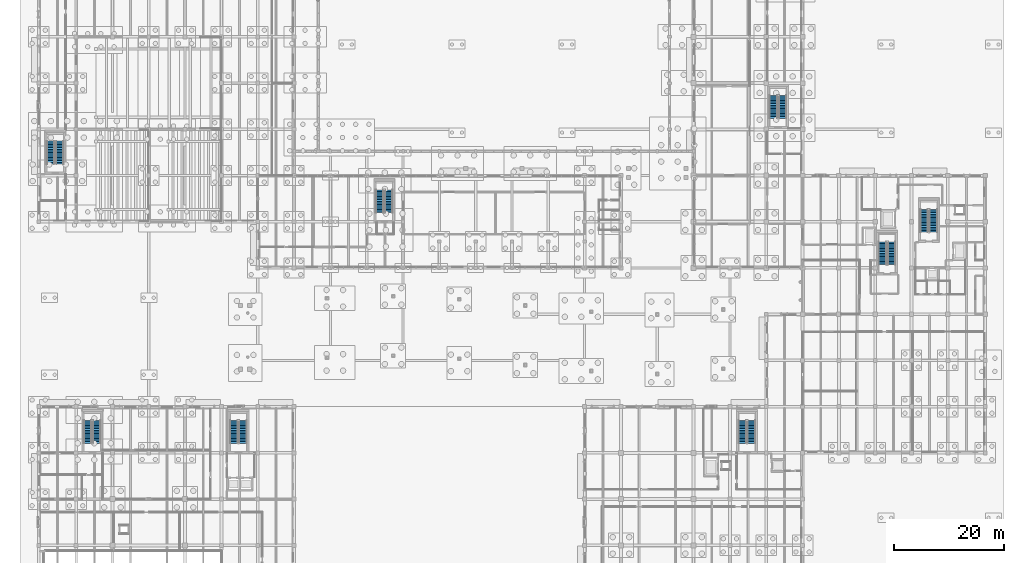
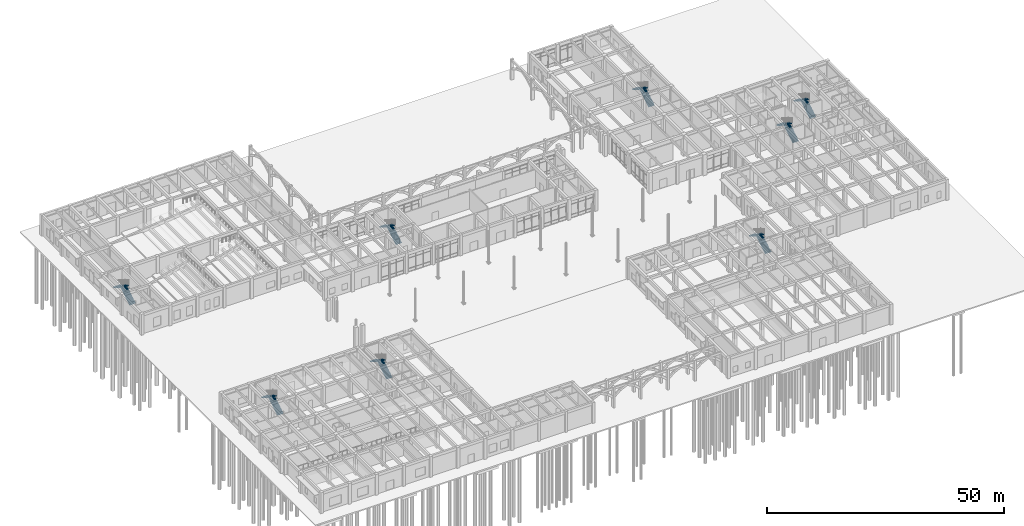
# One storey, part 65 of 82: 16 stair flights, 8 elements without a shape of their own.
"""IFC4 building model written with IfcOpenShell, lengths in metres."""

from ifc_helpers import new_model, si_unit, direction, frame, origin, place, context, subcontext, project, spatial, polyline, outline, extrude, material, type_object, element, aggregate, save


model = new_model("IFC4")

# Units and contexts
model_context = context("Model", 3, precision=1e-05, world=origin(), true_north=direction((0.0, 1.0)))
body_context = subcontext(model_context, "Body", "Model", "MODEL_VIEW")
ifc_project = project(units=[si_unit("LENGTHUNIT", "METRE"), si_unit("AREAUNIT", "SQUARE_METRE"), si_unit("VOLUMEUNIT", "CUBIC_METRE"), si_unit("PLANEANGLEUNIT", "RADIAN"), si_unit("MASSUNIT", "GRAM", prefix="KILO")], contexts=[model_context])

# Site, building, storey
site_placement = place(None, origin())
site = spatial("IfcSite", under=ifc_project, at=site_placement, CompositionType="ELEMENT")
building_placement = place(site_placement, origin())
building = spatial("IfcBuilding", under=site, at=building_placement, Name="Kolvaren Faculty of Natural Sciences", CompositionType="ELEMENT")
storey_placement = place(building_placement, origin())
storey = spatial("IfcBuildingStorey", under=building, at=storey_placement, Name="L00", CompositionType="ELEMENT", Elevation=0.0)

# Stair, stair flights
ifc_material = material(Name="Concrete C35/45", Category="concrete")
stair_type = type_object("IfcStairType", Name="DoglegStair_H5400", PredefinedType="HALF_TURN_STAIR", material=ifc_material)
stair_1_placement = place(storey_placement, origin())
stair_1 = element("IfcStair", 1, at=stair_1_placement, inside=storey, type_object=stair_type, Name="L00 Protected exit stair ST-1", PredefinedType="HALF_TURN_STAIR")
stair_flight_type = type_object("IfcStairFlightType", Name="StairFlight_R1800", PredefinedType="STRAIGHT", material=ifc_material)
stair_flight_1_placement = place(storey_placement, frame((162.574951171875, 73.89990234375, 0.0), z_axis=(0.0, 0.0, 1.0), x_axis=(0.0, 1.0, 0.0)))
stair_flight_1 = element("IfcStairFlight", 2, at=stair_flight_1_placement, type_object=stair_flight_type, Name="ST-1 flight 1", NumberOfRisers=15, NumberOfTreads=14, PredefinedType="STRAIGHT", RiserHeight=0.18, TreadLength=0.295, context=body_context, shape_type="SweptSolid", body=[
    extrude(outline(polyline([(0.0, 0.0), (0.0, 0.179931640625), (0.294921875, 0.179931640625), (0.294921875, 0.360107421875), (0.590087890625, 0.360107421875), (0.590087890625, 0.5400390625), (0.885009765625, 0.5400390625), (0.885009765625, 0.719970703125), (1.179931640625, 0.719970703125), (1.179931640625, 0.89990234375), (1.47509765625, 0.89990234375), (1.47509765625, 1.080078125), (1.77001953125, 1.080078125), (1.77001953125, 1.260009765625), (2.06494140625, 1.260009765625), (2.06494140625, 1.43994140625), (2.360107421875, 1.43994140625), (2.360107421875, 1.6201171875), (2.655029296875, 1.6201171875), (2.655029296875, 1.800048828125), (2.949951171875, 1.800048828125), (2.949951171875, 1.97998046875), (3.2451171875, 1.97998046875), (3.2451171875, 2.159912109375), (3.5400390625, 2.159912109375), (3.5400390625, 2.340087890625), (3.8349609375, 2.340087890625), (3.8349609375, 2.52001953125), (4.1298828125, 2.52001953125), (4.1298828125, 2.699951171875), (4.1298828125, 2.344482421875), (0.287841796875, 0.0), (0.0, 0.0)])), frame((0.0, 0.72509765625, 0.0), z_axis=(0.0, -1.0, 0.0), x_axis=(1.0, 0.0, 0.0)), (0.0, 0.0, 1.0), 1.449951171875),
])
stair_flight_2_placement = place(storey_placement, frame((160.925048828125, 78.030029296875, 2.699951171875), z_axis=(0.0, 0.0, 1.0), x_axis=(0.0, -1.0, 0.0)))
stair_flight_2 = element("IfcStairFlight", 3, at=stair_flight_2_placement, type_object=stair_flight_type, Name="ST-1 flight 2", NumberOfRisers=15, NumberOfTreads=14, PredefinedType="STRAIGHT", RiserHeight=0.18, TreadLength=0.295, context=body_context, shape_type="SweptSolid", body=[
    extrude(outline(polyline([(0.0, 0.0), (0.0, 0.179931640625), (0.294921875, 0.179931640625), (0.294921875, 0.360107421875), (0.590087890625, 0.360107421875), (0.590087890625, 0.5400390625), (0.885009765625, 0.5400390625), (0.885009765625, 0.719970703125), (1.179931640625, 0.719970703125), (1.179931640625, 0.89990234375), (1.47509765625, 0.89990234375), (1.47509765625, 1.080078125), (1.77001953125, 1.080078125), (1.77001953125, 1.260009765625), (2.06494140625, 1.260009765625), (2.06494140625, 1.43994140625), (2.360107421875, 1.43994140625), (2.360107421875, 1.6201171875), (2.655029296875, 1.6201171875), (2.655029296875, 1.800048828125), (2.949951171875, 1.800048828125), (2.949951171875, 1.97998046875), (3.2451171875, 1.97998046875), (3.2451171875, 2.159912109375), (3.5400390625, 2.159912109375), (3.5400390625, 2.340087890625), (3.8349609375, 2.340087890625), (3.8349609375, 2.52001953125), (4.1298828125, 2.52001953125), (4.1298828125, 2.699951171875), (4.1298828125, 2.344482421875), (0.287841796875, 0.0), (0.0, 0.0)])), frame((0.0, 0.72509765625, 0.0), z_axis=(0.0, -1.0, 0.0), x_axis=(1.0, 0.0, 0.0)), (0.0, 0.0, 1.0), 1.449951171875),
])
aggregate(stair_1, [stair_flight_1, stair_flight_2])

stair_2_placement = place(storey_placement, origin())
stair_2 = element("IfcStair", 4, at=stair_2_placement, inside=storey, type_object=stair_type, Name="L00 Protected exit stair ST-2", PredefinedType="HALF_TURN_STAIR")
stair_flight_3_placement = place(storey_placement, frame((154.97509765625, 68.0, 0.0), z_axis=(0.0, 0.0, 1.0), x_axis=(0.0, 1.0, 0.0)))
stair_flight_3 = element("IfcStairFlight", 5, at=stair_flight_3_placement, type_object=stair_flight_type, Name="ST-2 flight 1", NumberOfRisers=15, NumberOfTreads=14, PredefinedType="STRAIGHT", RiserHeight=0.18, TreadLength=0.295, context=body_context, shape_type="SweptSolid", body=[
    extrude(outline(polyline([(0.0, 0.0), (0.0, 0.179931640625), (0.294921875, 0.179931640625), (0.294921875, 0.360107421875), (0.590087890625, 0.360107421875), (0.590087890625, 0.5400390625), (0.885009765625, 0.5400390625), (0.885009765625, 0.719970703125), (1.179931640625, 0.719970703125), (1.179931640625, 0.89990234375), (1.47509765625, 0.89990234375), (1.47509765625, 1.080078125), (1.77001953125, 1.080078125), (1.77001953125, 1.260009765625), (2.06494140625, 1.260009765625), (2.06494140625, 1.43994140625), (2.360107421875, 1.43994140625), (2.360107421875, 1.6201171875), (2.655029296875, 1.6201171875), (2.655029296875, 1.800048828125), (2.949951171875, 1.800048828125), (2.949951171875, 1.97998046875), (3.2451171875, 1.97998046875), (3.2451171875, 2.159912109375), (3.5400390625, 2.159912109375), (3.5400390625, 2.340087890625), (3.8349609375, 2.340087890625), (3.8349609375, 2.52001953125), (4.1298828125, 2.52001953125), (4.1298828125, 2.699951171875), (4.1298828125, 2.344482421875), (0.287841796875, 0.0), (0.0, 0.0)])), frame((0.0, 0.72509765625, 0.0), z_axis=(0.0, -1.0, 0.0), x_axis=(1.0, 0.0, 0.0)), (0.0, 0.0, 1.0), 1.449951171875),
])
stair_flight_4_placement = place(storey_placement, frame((153.324951171875, 72.1298828125, 2.699951171875), z_axis=(0.0, 0.0, 1.0), x_axis=(0.0, -1.0, 0.0)))
stair_flight_4 = element("IfcStairFlight", 6, at=stair_flight_4_placement, type_object=stair_flight_type, Name="ST-2 flight 2", NumberOfRisers=15, NumberOfTreads=14, PredefinedType="STRAIGHT", RiserHeight=0.18, TreadLength=0.295, context=body_context, shape_type="SweptSolid", body=[
    extrude(outline(polyline([(0.0, 0.0), (0.0, 0.179931640625), (0.294921875, 0.179931640625), (0.294921875, 0.360107421875), (0.590087890625, 0.360107421875), (0.590087890625, 0.5400390625), (0.885009765625, 0.5400390625), (0.885009765625, 0.719970703125), (1.179931640625, 0.719970703125), (1.179931640625, 0.89990234375), (1.47509765625, 0.89990234375), (1.47509765625, 1.080078125), (1.77001953125, 1.080078125), (1.77001953125, 1.260009765625), (2.06494140625, 1.260009765625), (2.06494140625, 1.43994140625), (2.360107421875, 1.43994140625), (2.360107421875, 1.6201171875), (2.655029296875, 1.6201171875), (2.655029296875, 1.800048828125), (2.949951171875, 1.800048828125), (2.949951171875, 1.97998046875), (3.2451171875, 1.97998046875), (3.2451171875, 2.159912109375), (3.5400390625, 2.159912109375), (3.5400390625, 2.340087890625), (3.8349609375, 2.340087890625), (3.8349609375, 2.52001953125), (4.1298828125, 2.52001953125), (4.1298828125, 2.699951171875), (4.1298828125, 2.344482421875), (0.287841796875, 0.0), (0.0, 0.0)])), frame((0.0, 0.72509765625, 0.0), z_axis=(0.0, -1.0, 0.0), x_axis=(1.0, 0.0, 0.0)), (0.0, 0.0, 1.0), 1.449951171875),
])
aggregate(stair_2, [stair_flight_3, stair_flight_4])

stair_3_placement = place(storey_placement, origin())
stair_3 = element("IfcStair", 7, at=stair_3_placement, inside=storey, type_object=stair_type, Name="L00 Protected exit stair ST-3", PredefinedType="HALF_TURN_STAIR")
stair_flight_5_placement = place(storey_placement, frame((129.52490234375, 35.550048828125, 0.0), z_axis=(0.0, 0.0, 1.0), x_axis=(0.0, 1.0, 0.0)))
stair_flight_5 = element("IfcStairFlight", 8, at=stair_flight_5_placement, type_object=stair_flight_type, Name="ST-3 flight 1", NumberOfRisers=15, NumberOfTreads=14, PredefinedType="STRAIGHT", RiserHeight=0.18, TreadLength=0.295, context=body_context, shape_type="SweptSolid", body=[
    extrude(outline(polyline([(0.0, 0.0), (0.0, 0.179931640625), (0.294921875, 0.179931640625), (0.294921875, 0.360107421875), (0.590087890625, 0.360107421875), (0.590087890625, 0.5400390625), (0.885009765625, 0.5400390625), (0.885009765625, 0.719970703125), (1.179931640625, 0.719970703125), (1.179931640625, 0.89990234375), (1.47509765625, 0.89990234375), (1.47509765625, 1.080078125), (1.77001953125, 1.080078125), (1.77001953125, 1.260009765625), (2.06494140625, 1.260009765625), (2.06494140625, 1.43994140625), (2.360107421875, 1.43994140625), (2.360107421875, 1.6201171875), (2.655029296875, 1.6201171875), (2.655029296875, 1.800048828125), (2.949951171875, 1.800048828125), (2.949951171875, 1.97998046875), (3.2451171875, 1.97998046875), (3.2451171875, 2.159912109375), (3.5400390625, 2.159912109375), (3.5400390625, 2.340087890625), (3.8349609375, 2.340087890625), (3.8349609375, 2.52001953125), (4.1298828125, 2.52001953125), (4.1298828125, 2.699951171875), (4.1298828125, 2.344482421875), (0.287841796875, 0.0), (0.0, 0.0)])), frame((0.0, 0.72509765625, 0.0), z_axis=(0.0, -1.0, 0.0), x_axis=(1.0, 0.0, 0.0)), (0.0, 0.0, 1.0), 1.449951171875),
])
stair_flight_6_placement = place(storey_placement, frame((127.875, 39.679931640625, 2.699951171875), z_axis=(0.0, 0.0, 1.0), x_axis=(0.0, -1.0, 0.0)))
stair_flight_6 = element("IfcStairFlight", 9, at=stair_flight_6_placement, type_object=stair_flight_type, Name="ST-3 flight 2", NumberOfRisers=15, NumberOfTreads=14, PredefinedType="STRAIGHT", RiserHeight=0.18, TreadLength=0.295, context=body_context, shape_type="SweptSolid", body=[
    extrude(outline(polyline([(0.0, 0.0), (0.0, 0.179931640625), (0.294921875, 0.179931640625), (0.294921875, 0.360107421875), (0.590087890625, 0.360107421875), (0.590087890625, 0.5400390625), (0.885009765625, 0.5400390625), (0.885009765625, 0.719970703125), (1.179931640625, 0.719970703125), (1.179931640625, 0.89990234375), (1.47509765625, 0.89990234375), (1.47509765625, 1.080078125), (1.77001953125, 1.080078125), (1.77001953125, 1.260009765625), (2.06494140625, 1.260009765625), (2.06494140625, 1.43994140625), (2.360107421875, 1.43994140625), (2.360107421875, 1.6201171875), (2.655029296875, 1.6201171875), (2.655029296875, 1.800048828125), (2.949951171875, 1.800048828125), (2.949951171875, 1.97998046875), (3.2451171875, 1.97998046875), (3.2451171875, 2.159912109375), (3.5400390625, 2.159912109375), (3.5400390625, 2.340087890625), (3.8349609375, 2.340087890625), (3.8349609375, 2.52001953125), (4.1298828125, 2.52001953125), (4.1298828125, 2.699951171875), (4.1298828125, 2.344482421875), (0.287841796875, 0.0), (0.0, 0.0)])), frame((0.0, 0.72509765625, 0.0), z_axis=(0.0, -1.0, 0.0), x_axis=(1.0, 0.0, 0.0)), (0.0, 0.0, 1.0), 1.449951171875),
])
aggregate(stair_3, [stair_flight_5, stair_flight_6])

stair_4_placement = place(storey_placement, origin())
stair_4 = element("IfcStair", 10, at=stair_4_placement, inside=storey, type_object=stair_type, Name="L00 Protected exit stair ST-4", PredefinedType="HALF_TURN_STAIR")
stair_flight_7_placement = place(storey_placement, frame((37.125, 35.550048828125, 0.0), z_axis=(0.0, 0.0, 1.0), x_axis=(0.0, 1.0, 0.0)))
stair_flight_7 = element("IfcStairFlight", 11, at=stair_flight_7_placement, type_object=stair_flight_type, Name="ST-4 flight 1", NumberOfRisers=15, NumberOfTreads=14, PredefinedType="STRAIGHT", RiserHeight=0.18, TreadLength=0.295, context=body_context, shape_type="SweptSolid", body=[
    extrude(outline(polyline([(0.0, 0.0), (0.0, 0.179931640625), (0.294921875, 0.179931640625), (0.294921875, 0.360107421875), (0.590087890625, 0.360107421875), (0.590087890625, 0.5400390625), (0.885009765625, 0.5400390625), (0.885009765625, 0.719970703125), (1.179931640625, 0.719970703125), (1.179931640625, 0.89990234375), (1.47509765625, 0.89990234375), (1.47509765625, 1.080078125), (1.77001953125, 1.080078125), (1.77001953125, 1.260009765625), (2.06494140625, 1.260009765625), (2.06494140625, 1.43994140625), (2.360107421875, 1.43994140625), (2.360107421875, 1.6201171875), (2.655029296875, 1.6201171875), (2.655029296875, 1.800048828125), (2.949951171875, 1.800048828125), (2.949951171875, 1.97998046875), (3.2451171875, 1.97998046875), (3.2451171875, 2.159912109375), (3.5400390625, 2.159912109375), (3.5400390625, 2.340087890625), (3.8349609375, 2.340087890625), (3.8349609375, 2.52001953125), (4.1298828125, 2.52001953125), (4.1298828125, 2.699951171875), (4.1298828125, 2.344482421875), (0.287841796875, 0.0), (0.0, 0.0)])), frame((0.0, 0.72509765625, 0.0), z_axis=(0.0, -1.0, 0.0), x_axis=(1.0, 0.0, 0.0)), (0.0, 0.0, 1.0), 1.449951171875),
])
stair_flight_8_placement = place(storey_placement, frame((35.47509765625, 39.679931640625, 2.699951171875), z_axis=(0.0, 0.0, 1.0), x_axis=(0.0, -1.0, 0.0)))
stair_flight_8 = element("IfcStairFlight", 12, at=stair_flight_8_placement, type_object=stair_flight_type, Name="ST-4 flight 2", NumberOfRisers=15, NumberOfTreads=14, PredefinedType="STRAIGHT", RiserHeight=0.18, TreadLength=0.295, context=body_context, shape_type="SweptSolid", body=[
    extrude(outline(polyline([(0.0, 0.0), (0.0, 0.179931640625), (0.294921875, 0.179931640625), (0.294921875, 0.360107421875), (0.590087890625, 0.360107421875), (0.590087890625, 0.5400390625), (0.885009765625, 0.5400390625), (0.885009765625, 0.719970703125), (1.179931640625, 0.719970703125), (1.179931640625, 0.89990234375), (1.47509765625, 0.89990234375), (1.47509765625, 1.080078125), (1.77001953125, 1.080078125), (1.77001953125, 1.260009765625), (2.06494140625, 1.260009765625), (2.06494140625, 1.43994140625), (2.360107421875, 1.43994140625), (2.360107421875, 1.6201171875), (2.655029296875, 1.6201171875), (2.655029296875, 1.800048828125), (2.949951171875, 1.800048828125), (2.949951171875, 1.97998046875), (3.2451171875, 1.97998046875), (3.2451171875, 2.159912109375), (3.5400390625, 2.159912109375), (3.5400390625, 2.340087890625), (3.8349609375, 2.340087890625), (3.8349609375, 2.52001953125), (4.1298828125, 2.52001953125), (4.1298828125, 2.699951171875), (4.1298828125, 2.344482421875), (0.287841796875, 0.0), (0.0, 0.0)])), frame((0.0, 0.72509765625, 0.0), z_axis=(0.0, -1.0, 0.0), x_axis=(1.0, 0.0, 0.0)), (0.0, 0.0, 1.0), 1.449951171875),
])
aggregate(stair_4, [stair_flight_7, stair_flight_8])

stair_5_placement = place(storey_placement, origin())
stair_5 = element("IfcStair", 13, at=stair_5_placement, inside=storey, type_object=stair_type, Name="L00 Protected exit stair ST-5", PredefinedType="HALF_TURN_STAIR")
stair_flight_9_placement = place(storey_placement, frame((3.824951171875, 86.300048828125, 0.0), z_axis=(0.0, 0.0, 1.0), x_axis=(0.0, 1.0, 0.0)))
stair_flight_9 = element("IfcStairFlight", 14, at=stair_flight_9_placement, type_object=stair_flight_type, Name="ST-5 flight 1", NumberOfRisers=15, NumberOfTreads=14, PredefinedType="STRAIGHT", RiserHeight=0.18, TreadLength=0.295, context=body_context, shape_type="SweptSolid", body=[
    extrude(outline(polyline([(0.0, 0.0), (0.0, 0.179931640625), (0.294921875, 0.179931640625), (0.294921875, 0.360107421875), (0.590087890625, 0.360107421875), (0.590087890625, 0.5400390625), (0.885009765625, 0.5400390625), (0.885009765625, 0.719970703125), (1.179931640625, 0.719970703125), (1.179931640625, 0.89990234375), (1.47509765625, 0.89990234375), (1.47509765625, 1.080078125), (1.77001953125, 1.080078125), (1.77001953125, 1.260009765625), (2.06494140625, 1.260009765625), (2.06494140625, 1.43994140625), (2.360107421875, 1.43994140625), (2.360107421875, 1.6201171875), (2.655029296875, 1.6201171875), (2.655029296875, 1.800048828125), (2.949951171875, 1.800048828125), (2.949951171875, 1.97998046875), (3.2451171875, 1.97998046875), (3.2451171875, 2.159912109375), (3.5400390625, 2.159912109375), (3.5400390625, 2.340087890625), (3.8349609375, 2.340087890625), (3.8349609375, 2.52001953125), (4.1298828125, 2.52001953125), (4.1298828125, 2.699951171875), (4.1298828125, 2.344482421875), (0.287841796875, 0.0), (0.0, 0.0)])), frame((0.0, 0.72509765625, 0.0), z_axis=(0.0, -1.0, 0.0), x_axis=(1.0, 0.0, 0.0)), (0.0, 0.0, 1.0), 1.449951171875),
])
stair_flight_10_placement = place(storey_placement, frame((2.175048828125, 90.429931640625, 2.699951171875), z_axis=(0.0, 0.0, 1.0), x_axis=(0.0, -1.0, 0.0)))
stair_flight_10 = element("IfcStairFlight", 15, at=stair_flight_10_placement, type_object=stair_flight_type, Name="ST-5 flight 2", NumberOfRisers=15, NumberOfTreads=14, PredefinedType="STRAIGHT", RiserHeight=0.18, TreadLength=0.295, context=body_context, shape_type="SweptSolid", body=[
    extrude(outline(polyline([(0.0, 0.0), (0.0, 0.179931640625), (0.294921875, 0.179931640625), (0.294921875, 0.360107421875), (0.590087890625, 0.360107421875), (0.590087890625, 0.5400390625), (0.885009765625, 0.5400390625), (0.885009765625, 0.719970703125), (1.179931640625, 0.719970703125), (1.179931640625, 0.89990234375), (1.47509765625, 0.89990234375), (1.47509765625, 1.080078125), (1.77001953125, 1.080078125), (1.77001953125, 1.260009765625), (2.06494140625, 1.260009765625), (2.06494140625, 1.43994140625), (2.360107421875, 1.43994140625), (2.360107421875, 1.6201171875), (2.655029296875, 1.6201171875), (2.655029296875, 1.800048828125), (2.949951171875, 1.800048828125), (2.949951171875, 1.97998046875), (3.2451171875, 1.97998046875), (3.2451171875, 2.159912109375), (3.5400390625, 2.159912109375), (3.5400390625, 2.340087890625), (3.8349609375, 2.340087890625), (3.8349609375, 2.52001953125), (4.1298828125, 2.52001953125), (4.1298828125, 2.699951171875), (4.1298828125, 2.344482421875), (0.287841796875, 0.0), (0.0, 0.0)])), frame((0.0, 0.72509765625, 0.0), z_axis=(0.0, -1.0, 0.0), x_axis=(1.0, 0.0, 0.0)), (0.0, 0.0, 1.0), 1.449951171875),
])
aggregate(stair_5, [stair_flight_9, stair_flight_10])

stair_6_placement = place(storey_placement, origin())
stair_6 = element("IfcStair", 16, at=stair_6_placement, inside=storey, type_object=stair_type, Name="L00 Protected exit stair ST-6", PredefinedType="HALF_TURN_STAIR")
stair_flight_11_placement = place(storey_placement, frame((63.625, 77.449951171875, 0.0), z_axis=(0.0, 0.0, 1.0), x_axis=(0.0, 1.0, 0.0)))
stair_flight_11 = element("IfcStairFlight", 17, at=stair_flight_11_placement, type_object=stair_flight_type, Name="ST-6 flight 1", NumberOfRisers=15, NumberOfTreads=14, PredefinedType="STRAIGHT", RiserHeight=0.18, TreadLength=0.295, context=body_context, shape_type="SweptSolid", body=[
    extrude(outline(polyline([(0.0, 0.0), (0.0, 0.179931640625), (0.294921875, 0.179931640625), (0.294921875, 0.360107421875), (0.590087890625, 0.360107421875), (0.590087890625, 0.5400390625), (0.885009765625, 0.5400390625), (0.885009765625, 0.719970703125), (1.179931640625, 0.719970703125), (1.179931640625, 0.89990234375), (1.47509765625, 0.89990234375), (1.47509765625, 1.080078125), (1.77001953125, 1.080078125), (1.77001953125, 1.260009765625), (2.06494140625, 1.260009765625), (2.06494140625, 1.43994140625), (2.360107421875, 1.43994140625), (2.360107421875, 1.6201171875), (2.655029296875, 1.6201171875), (2.655029296875, 1.800048828125), (2.949951171875, 1.800048828125), (2.949951171875, 1.97998046875), (3.2451171875, 1.97998046875), (3.2451171875, 2.159912109375), (3.5400390625, 2.159912109375), (3.5400390625, 2.340087890625), (3.8349609375, 2.340087890625), (3.8349609375, 2.52001953125), (4.1298828125, 2.52001953125), (4.1298828125, 2.699951171875), (4.1298828125, 2.344482421875), (0.287841796875, 0.0), (0.0, 0.0)])), frame((0.0, 0.72509765625, 0.0), z_axis=(0.0, -1.0, 0.0), x_axis=(1.0, 0.0, 0.0)), (0.0, 0.0, 1.0), 1.449951171875),
])
stair_flight_12_placement = place(storey_placement, frame((61.97509765625, 81.580078125, 2.699951171875), z_axis=(0.0, 0.0, 1.0), x_axis=(0.0, -1.0, 0.0)))
stair_flight_12 = element("IfcStairFlight", 18, at=stair_flight_12_placement, type_object=stair_flight_type, Name="ST-6 flight 2", NumberOfRisers=15, NumberOfTreads=14, PredefinedType="STRAIGHT", RiserHeight=0.18, TreadLength=0.295, context=body_context, shape_type="SweptSolid", body=[
    extrude(outline(polyline([(0.0, 0.0), (0.0, 0.179931640625), (0.294921875, 0.179931640625), (0.294921875, 0.360107421875), (0.590087890625, 0.360107421875), (0.590087890625, 0.5400390625), (0.885009765625, 0.5400390625), (0.885009765625, 0.719970703125), (1.179931640625, 0.719970703125), (1.179931640625, 0.89990234375), (1.47509765625, 0.89990234375), (1.47509765625, 1.080078125), (1.77001953125, 1.080078125), (1.77001953125, 1.260009765625), (2.06494140625, 1.260009765625), (2.06494140625, 1.43994140625), (2.360107421875, 1.43994140625), (2.360107421875, 1.6201171875), (2.655029296875, 1.6201171875), (2.655029296875, 1.800048828125), (2.949951171875, 1.800048828125), (2.949951171875, 1.97998046875), (3.2451171875, 1.97998046875), (3.2451171875, 2.159912109375), (3.5400390625, 2.159912109375), (3.5400390625, 2.340087890625), (3.8349609375, 2.340087890625), (3.8349609375, 2.52001953125), (4.1298828125, 2.52001953125), (4.1298828125, 2.699951171875), (4.1298828125, 2.344482421875), (0.287841796875, 0.0), (0.0, 0.0)])), frame((0.0, 0.72509765625, 0.0), z_axis=(0.0, -1.0, 0.0), x_axis=(1.0, 0.0, 0.0)), (0.0, 0.0, 1.0), 1.449951171875),
])
aggregate(stair_6, [stair_flight_11, stair_flight_12])

stair_7_placement = place(storey_placement, origin())
stair_7 = element("IfcStair", 19, at=stair_7_placement, inside=storey, type_object=stair_type, Name="L00 Protected exit stair ST-7", PredefinedType="HALF_TURN_STAIR")
stair_flight_13_placement = place(storey_placement, frame((135.175048828125, 94.60009765625, 0.0), z_axis=(0.0, 0.0, 1.0), x_axis=(0.0, 1.0, 0.0)))
stair_flight_13 = element("IfcStairFlight", 20, at=stair_flight_13_placement, type_object=stair_flight_type, Name="ST-7 flight 1", NumberOfRisers=15, NumberOfTreads=14, PredefinedType="STRAIGHT", RiserHeight=0.18, TreadLength=0.295, context=body_context, shape_type="SweptSolid", body=[
    extrude(outline(polyline([(0.0, 0.0), (0.0, 0.179931640625), (0.294921875, 0.179931640625), (0.294921875, 0.360107421875), (0.590087890625, 0.360107421875), (0.590087890625, 0.5400390625), (0.885009765625, 0.5400390625), (0.885009765625, 0.719970703125), (1.179931640625, 0.719970703125), (1.179931640625, 0.89990234375), (1.47509765625, 0.89990234375), (1.47509765625, 1.080078125), (1.77001953125, 1.080078125), (1.77001953125, 1.260009765625), (2.06494140625, 1.260009765625), (2.06494140625, 1.43994140625), (2.360107421875, 1.43994140625), (2.360107421875, 1.6201171875), (2.655029296875, 1.6201171875), (2.655029296875, 1.800048828125), (2.949951171875, 1.800048828125), (2.949951171875, 1.97998046875), (3.2451171875, 1.97998046875), (3.2451171875, 2.159912109375), (3.5400390625, 2.159912109375), (3.5400390625, 2.340087890625), (3.8349609375, 2.340087890625), (3.8349609375, 2.52001953125), (4.1298828125, 2.52001953125), (4.1298828125, 2.699951171875), (4.1298828125, 2.344482421875), (0.287841796875, 0.0), (0.0, 0.0)])), frame((0.0, 0.72509765625, 0.0), z_axis=(0.0, -1.0, 0.0), x_axis=(1.0, 0.0, 0.0)), (0.0, 0.0, 1.0), 1.449951171875),
])
stair_flight_14_placement = place(storey_placement, frame((133.52490234375, 98.72998046875, 2.699951171875), z_axis=(0.0, 0.0, 1.0), x_axis=(0.0, -1.0, 0.0)))
stair_flight_14 = element("IfcStairFlight", 21, at=stair_flight_14_placement, type_object=stair_flight_type, Name="ST-7 flight 2", NumberOfRisers=15, NumberOfTreads=14, PredefinedType="STRAIGHT", RiserHeight=0.18, TreadLength=0.295, context=body_context, shape_type="SweptSolid", body=[
    extrude(outline(polyline([(0.0, 0.0), (0.0, 0.179931640625), (0.294921875, 0.179931640625), (0.294921875, 0.360107421875), (0.590087890625, 0.360107421875), (0.590087890625, 0.5400390625), (0.885009765625, 0.5400390625), (0.885009765625, 0.719970703125), (1.179931640625, 0.719970703125), (1.179931640625, 0.89990234375), (1.47509765625, 0.89990234375), (1.47509765625, 1.080078125), (1.77001953125, 1.080078125), (1.77001953125, 1.260009765625), (2.06494140625, 1.260009765625), (2.06494140625, 1.43994140625), (2.360107421875, 1.43994140625), (2.360107421875, 1.6201171875), (2.655029296875, 1.6201171875), (2.655029296875, 1.800048828125), (2.949951171875, 1.800048828125), (2.949951171875, 1.97998046875), (3.2451171875, 1.97998046875), (3.2451171875, 2.159912109375), (3.5400390625, 2.159912109375), (3.5400390625, 2.340087890625), (3.8349609375, 2.340087890625), (3.8349609375, 2.52001953125), (4.1298828125, 2.52001953125), (4.1298828125, 2.699951171875), (4.1298828125, 2.344482421875), (0.287841796875, 0.0), (0.0, 0.0)])), frame((0.0, 0.72509765625, 0.0), z_axis=(0.0, -1.0, 0.0), x_axis=(1.0, 0.0, 0.0)), (0.0, 0.0, 1.0), 1.449951171875),
])
aggregate(stair_7, [stair_flight_13, stair_flight_14])

stair_8_placement = place(storey_placement, origin())
stair_8 = element("IfcStair", 22, at=stair_8_placement, inside=storey, type_object=stair_type, Name="L00 Protected exit stair ST-8", PredefinedType="HALF_TURN_STAIR")
stair_flight_15_placement = place(storey_placement, frame((10.574951171875, 35.550048828125, 0.0), z_axis=(0.0, 0.0, 1.0), x_axis=(0.0, 1.0, 0.0)))
stair_flight_15 = element("IfcStairFlight", 23, at=stair_flight_15_placement, type_object=stair_flight_type, Name="ST-8 flight 1", NumberOfRisers=15, NumberOfTreads=14, PredefinedType="STRAIGHT", RiserHeight=0.18, TreadLength=0.295, context=body_context, shape_type="SweptSolid", body=[
    extrude(outline(polyline([(0.0, 0.0), (0.0, 0.179931640625), (0.294921875, 0.179931640625), (0.294921875, 0.360107421875), (0.590087890625, 0.360107421875), (0.590087890625, 0.5400390625), (0.885009765625, 0.5400390625), (0.885009765625, 0.719970703125), (1.179931640625, 0.719970703125), (1.179931640625, 0.89990234375), (1.47509765625, 0.89990234375), (1.47509765625, 1.080078125), (1.77001953125, 1.080078125), (1.77001953125, 1.260009765625), (2.06494140625, 1.260009765625), (2.06494140625, 1.43994140625), (2.360107421875, 1.43994140625), (2.360107421875, 1.6201171875), (2.655029296875, 1.6201171875), (2.655029296875, 1.800048828125), (2.949951171875, 1.800048828125), (2.949951171875, 1.97998046875), (3.2451171875, 1.97998046875), (3.2451171875, 2.159912109375), (3.5400390625, 2.159912109375), (3.5400390625, 2.340087890625), (3.8349609375, 2.340087890625), (3.8349609375, 2.52001953125), (4.1298828125, 2.52001953125), (4.1298828125, 2.699951171875), (4.1298828125, 2.344482421875), (0.287841796875, 0.0), (0.0, 0.0)])), frame((0.0, 0.72509765625, 0.0), z_axis=(0.0, -1.0, 0.0), x_axis=(1.0, 0.0, 0.0)), (0.0, 0.0, 1.0), 1.449951171875),
])
stair_flight_16_placement = place(storey_placement, frame((8.925048828125, 39.679931640625, 2.699951171875), z_axis=(0.0, 0.0, 1.0), x_axis=(0.0, -1.0, 0.0)))
stair_flight_16 = element("IfcStairFlight", 24, at=stair_flight_16_placement, type_object=stair_flight_type, Name="ST-8 flight 2", NumberOfRisers=15, NumberOfTreads=14, PredefinedType="STRAIGHT", RiserHeight=0.18, TreadLength=0.295, context=body_context, shape_type="SweptSolid", body=[
    extrude(outline(polyline([(0.0, 0.0), (0.0, 0.179931640625), (0.294921875, 0.179931640625), (0.294921875, 0.360107421875), (0.590087890625, 0.360107421875), (0.590087890625, 0.5400390625), (0.885009765625, 0.5400390625), (0.885009765625, 0.719970703125), (1.179931640625, 0.719970703125), (1.179931640625, 0.89990234375), (1.47509765625, 0.89990234375), (1.47509765625, 1.080078125), (1.77001953125, 1.080078125), (1.77001953125, 1.260009765625), (2.06494140625, 1.260009765625), (2.06494140625, 1.43994140625), (2.360107421875, 1.43994140625), (2.360107421875, 1.6201171875), (2.655029296875, 1.6201171875), (2.655029296875, 1.800048828125), (2.949951171875, 1.800048828125), (2.949951171875, 1.97998046875), (3.2451171875, 1.97998046875), (3.2451171875, 2.159912109375), (3.5400390625, 2.159912109375), (3.5400390625, 2.340087890625), (3.8349609375, 2.340087890625), (3.8349609375, 2.52001953125), (4.1298828125, 2.52001953125), (4.1298828125, 2.699951171875), (4.1298828125, 2.344482421875), (0.287841796875, 0.0), (0.0, 0.0)])), frame((0.0, 0.72509765625, 0.0), z_axis=(0.0, -1.0, 0.0), x_axis=(1.0, 0.0, 0.0)), (0.0, 0.0, 1.0), 1.449951171875),
])
aggregate(stair_8, [stair_flight_15, stair_flight_16])

save(model, "model.ifc")
